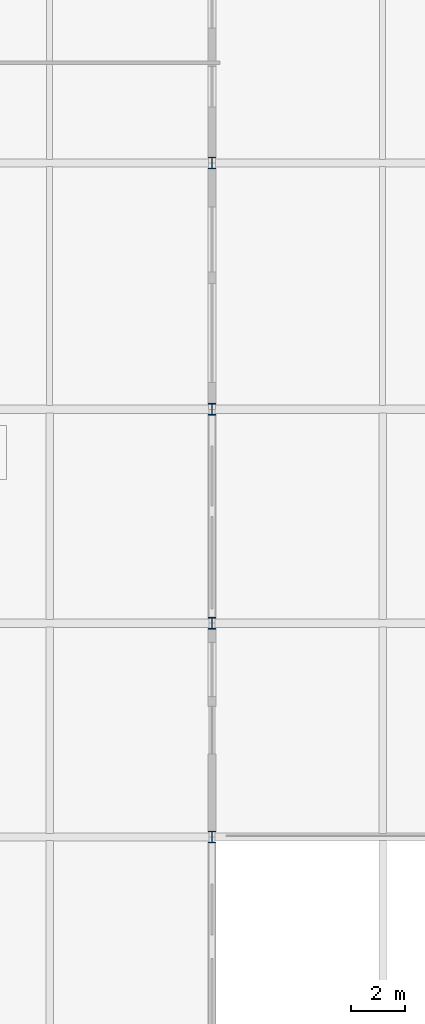
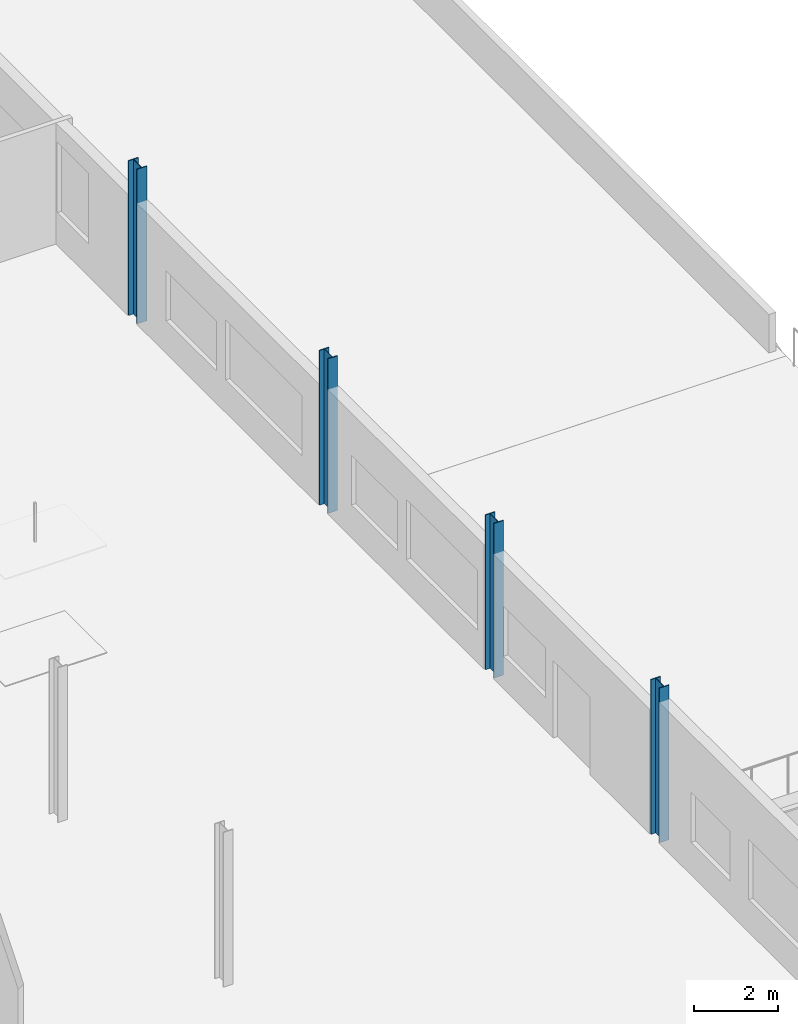
# One storey, part 15 of 139: 4 columns.
"""IFC4 building model written with IfcOpenShell, lengths in metres."""

from ifc_helpers import new_model, si_unit, derived_unit, direction, frame, origin, origin_2d, place, context, subcontext, project, spatial, i_section, extrude, material, material_profile, profile_set, type_object, element, save


model = new_model("IFC4")

# Units and contexts
model_context = context("Model", 3, precision=1e-05, world=origin(), true_north=direction((0.0, 1.0)))
body_context = subcontext(model_context, "Body", "Model", "MODEL_VIEW")
ifc_project = project(units=[si_unit("LENGTHUNIT", "METRE"), si_unit("AREAUNIT", "SQUARE_METRE"), si_unit("VOLUMEUNIT", "CUBIC_METRE"), si_unit("PLANEANGLEUNIT", "RADIAN"), si_unit("MASSUNIT", "GRAM", prefix="KILO"), derived_unit("THERMALTRANSMITTANCEUNIT", [(si_unit("MASSUNIT", "GRAM", prefix="KILO"), 1), (si_unit("TIMEUNIT", "SECOND"), -3), (si_unit("THERMODYNAMICTEMPERATUREUNIT", "KELVIN"), -1)])], contexts=[model_context])

# Site, building, storey
site_placement = place(None, origin())
site = spatial("IfcSite", under=ifc_project, at=site_placement, CompositionType="ELEMENT")
building_placement = place(site_placement, origin())
building = spatial("IfcBuilding", under=site, at=building_placement, Name="Makaiwela Harbour Ferry Terminal", CompositionType="ELEMENT")
storey_placement = place(building_placement, frame((0.0, 0.0, 5.10009765625)))
storey = spatial("IfcBuildingStorey", under=building, at=storey_placement, Name="L01", CompositionType="ELEMENT", Elevation=5.10009765625)

# Columns
ifc_material = material(Name="Steel ASTM A992 Grade 50", Category="steel")
ifc_material_profile = material_profile(ifc_material, i_section(OverallWidth=0.264892578125, OverallDepth=0.430908203125, WebThickness=0.014892578125, FlangeThickness=0.02490234375, at=origin_2d()), Name="W16X100")
ifc_profile_set = profile_set([ifc_material_profile], Name="Steel ASTM A992 Grade 50")
column_type = type_object("IfcColumnType", Name="STR-COL-W16X100", PredefinedType="COLUMN", material=ifc_profile_set)
for number, where, z_axis, x_axis, name in (
    (1, (167.39990234375, 33.60009765625, 0.0), (0.0, 0.0, 1.0), (1.0, 0.0, 0.0), "Structural Column C-03"),
    (2, (167.39990234375, 41.5, 0.0), (0.0, 0.0, 1.0), (1.0, 0.0, 0.0), "Structural Column C-03"),
    (3, (167.39990234375, 49.39990234375, 0.0), (0.0, 0.0, 1.0), (1.0, 0.0, 0.0), "Structural Column C-03"),
    (4, (167.39990234375, 58.5, 0.0), (0.0, 0.0, 1.0), (1.0, 0.0, 0.0), "Structural Column C-03"),
):
    element("IfcColumn", number, at=place(storey_placement, frame(where, z_axis=z_axis, x_axis=x_axis)), inside=storey, type_object=column_type, Name=name, PredefinedType="COLUMN", context=body_context, shape_type="SweptSolid", body=[
        extrude(i_section(OverallWidth=0.264892578125, OverallDepth=0.430908203125, WebThickness=0.014892578125, FlangeThickness=0.02490234375, at=origin_2d()), origin(), (0.0, 0.0, 1.0), 4.5),
    ])

save(model, "model.ifc")
